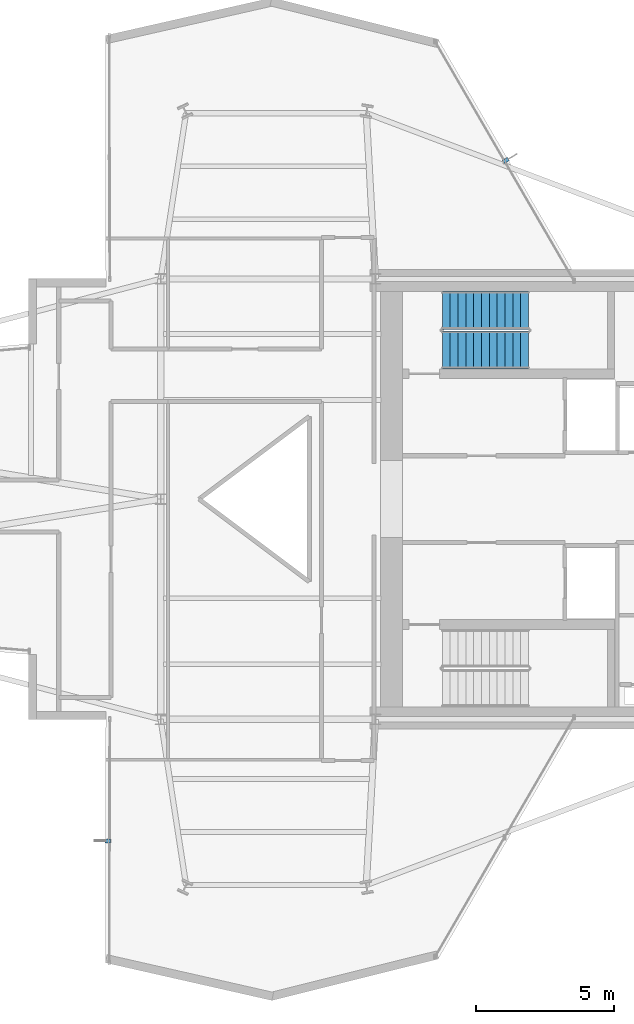
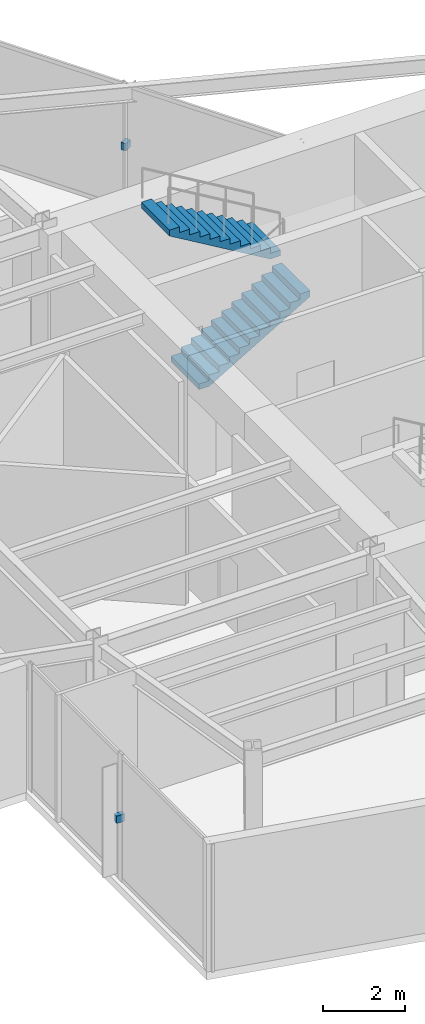
# One storey, part 24 of 25: 2 discrete accessories, 2 stair flights, 1 element without a shape of its own.
"""IFC4 building model written with IfcOpenShell, lengths in metres."""

from ifc_helpers import new_model, si_unit, direction, frame, origin, origin_2d, place, context, subcontext, project, spatial, polyline, rectangle, outline, extrude, material, layer, layer_set, type_object, element, aggregate, save


model = new_model("IFC4")

# Units and contexts
model_context = context("Model", 3, precision=1e-05, world=origin(), true_north=direction((0.0, 1.0)))
body_context = subcontext(model_context, "Body", "Model", "MODEL_VIEW")
ifc_project = project(units=[si_unit("LENGTHUNIT", "METRE"), si_unit("AREAUNIT", "SQUARE_METRE"), si_unit("VOLUMEUNIT", "CUBIC_METRE"), si_unit("PLANEANGLEUNIT", "RADIAN"), si_unit("MASSUNIT", "GRAM", prefix="KILO")], contexts=[model_context])

# Site, building, storey
site_placement = place(None, origin())
site = spatial("IfcSite", under=ifc_project, at=site_placement, CompositionType="ELEMENT")
building_placement = place(site_placement, origin())
building = spatial("IfcBuilding", under=site, at=building_placement, Name="Veymaron Broadcast Tower", CompositionType="ELEMENT")
storey_placement = place(building_placement, frame((0.0, 0.0, 173.550048828125)))
storey = spatial("IfcBuildingStorey", under=building, at=storey_placement, Name="L40", CompositionType="ELEMENT", Elevation=173.550048828125)

# Stair, stair flights
ifc_material_1 = material(Name="Concrete C50/60", Category="concrete")
stair_type = type_object("IfcStairType", Name="STAIR-CORE-1", PredefinedType="HALF_TURN_STAIR", material=ifc_material_1)
stair_placement = place(storey_placement, origin())
stair = element("IfcStair", 1, at=stair_placement, inside=storey, type_object=stair_type, Name="L40 North protected dog-leg exit stair ST1", PredefinedType="HALF_TURN_STAIR")
ifc_material_2 = material(Name="Precast concrete C50/60", Category="concrete")
stair_flight_type = type_object("IfcStairFlightType", Name="FLT-CORE-RC", PredefinedType="STRAIGHT", material=ifc_material_2)
stair_flight_1_placement = place(storey_placement, frame((41.429931640625, 29.419921875, 0.0), z_axis=(0.0, 0.0, 1.0), x_axis=(1.0, 0.0, 0.0)))
stair_flight_1 = element("IfcStairFlight", 2, at=stair_flight_1_placement, type_object=stair_flight_type, Name="ST1 flight 1", NumberOfRisers=12, NumberOfTreads=11, PredefinedType="STRAIGHT", RiserHeight=0.16875, TreadLength=0.285, context=body_context, shape_type="SweptSolid", body=[
    extrude(outline(polyline([(0.0, 0.0), (0.0, 0.168701171875), (0.284912109375, 0.168701171875), (0.284912109375, 0.33740234375), (0.570068359375, 0.33740234375), (0.570068359375, 0.50634765625), (0.85498046875, 0.50634765625), (0.85498046875, 0.675048828125), (1.139892578125, 0.675048828125), (1.139892578125, 0.84375), (1.425048828125, 0.84375), (1.425048828125, 1.012451171875), (1.7099609375, 1.012451171875), (1.7099609375, 1.18115234375), (1.9951171875, 1.18115234375), (1.9951171875, 1.35009765625), (2.280029296875, 1.35009765625), (2.280029296875, 1.518798828125), (2.56494140625, 1.518798828125), (2.56494140625, 1.6875), (2.85009765625, 1.6875), (2.85009765625, 1.856201171875), (3.135009765625, 1.856201171875), (3.135009765625, 2.02490234375), (3.135009765625, 1.68212890625), (0.294189453125, 0.0), (0.0, 0.0)])), frame((0.0, 0.68994140625, 0.0), z_axis=(0.0, -1.0, 0.0), x_axis=(1.0, 0.0, 0.0)), (0.0, 0.0, 1.0), 1.3798828125),
])
stair_flight_2_placement = place(storey_placement, frame((44.56494140625, 30.860107421875, 2.02490234375), z_axis=(0.0, 0.0, 1.0), x_axis=(-1.0, 0.0, 0.0)))
stair_flight_2 = element("IfcStairFlight", 3, at=stair_flight_2_placement, type_object=stair_flight_type, Name="ST1 flight 2", NumberOfRisers=12, NumberOfTreads=11, PredefinedType="STRAIGHT", RiserHeight=0.16875, TreadLength=0.285, context=body_context, shape_type="SweptSolid", body=[
    extrude(outline(polyline([(0.0, 0.0), (0.0, 0.168701171875), (0.284912109375, 0.168701171875), (0.284912109375, 0.33740234375), (0.570068359375, 0.33740234375), (0.570068359375, 0.50634765625), (0.85498046875, 0.50634765625), (0.85498046875, 0.675048828125), (1.139892578125, 0.675048828125), (1.139892578125, 0.84375), (1.425048828125, 0.84375), (1.425048828125, 1.012451171875), (1.7099609375, 1.012451171875), (1.7099609375, 1.18115234375), (1.9951171875, 1.18115234375), (1.9951171875, 1.35009765625), (2.280029296875, 1.35009765625), (2.280029296875, 1.518798828125), (2.56494140625, 1.518798828125), (2.56494140625, 1.6875), (2.85009765625, 1.6875), (2.85009765625, 1.856201171875), (3.135009765625, 1.856201171875), (3.135009765625, 2.02490234375), (3.135009765625, 1.68212890625), (0.294189453125, 0.0), (0.0, 0.0)])), frame((0.0, 0.68994140625, 0.0), z_axis=(0.0, -1.0, 0.0), x_axis=(1.0, 0.0, 0.0)), (0.0, 0.0, 1.0), 1.3798828125),
])
aggregate(stair, [stair_flight_1, stair_flight_2])

# Discrete accessories
ifc_material_3 = material(Name="Austenitic stainless steel AISI 316L", Category="steel")
ifc_layer = layer(ifc_material_3, 0.1201171875)
ifc_layer_set = layer_set([ifc_layer], Name="Austenitic stainless steel AISI 316L")
discrete_accessory_type = type_object("IfcDiscreteAccessoryType", Name="ACC-BRKT-SS1", PredefinedType="BRACKET", material=ifc_layer_set)
for number, where, z_axis, x_axis, name in (
    (4, (43.742431640625, 36.306884765625, 1.794921875), (0.0, 0.0, 1.0), (0.864818615801, 0.502084416969, 0.0), "CW-L40-E5-1 fin bracket 1"),
    (5, (29.280517578125, 11.58447265625, 1.794921875), (0.0, 0.0, 1.0), (-0.999998950745, 0.001448622772, 0.0), "CW-L40-E17-1 fin bracket 1"),
):
    element("IfcDiscreteAccessory", number, at=place(storey_placement, frame(where, z_axis=z_axis, x_axis=x_axis)), inside=storey, type_object=discrete_accessory_type, Name=name, PredefinedType="BRACKET", context=body_context, shape_type="SweptSolid", body=[
        extrude(rectangle(XDim=0.219970703125, YDim=0.139892578125, at=origin_2d()), origin(), (0.0, 0.0, 1.0), 0.219970703125),
    ])

save(model, "model.ifc")
